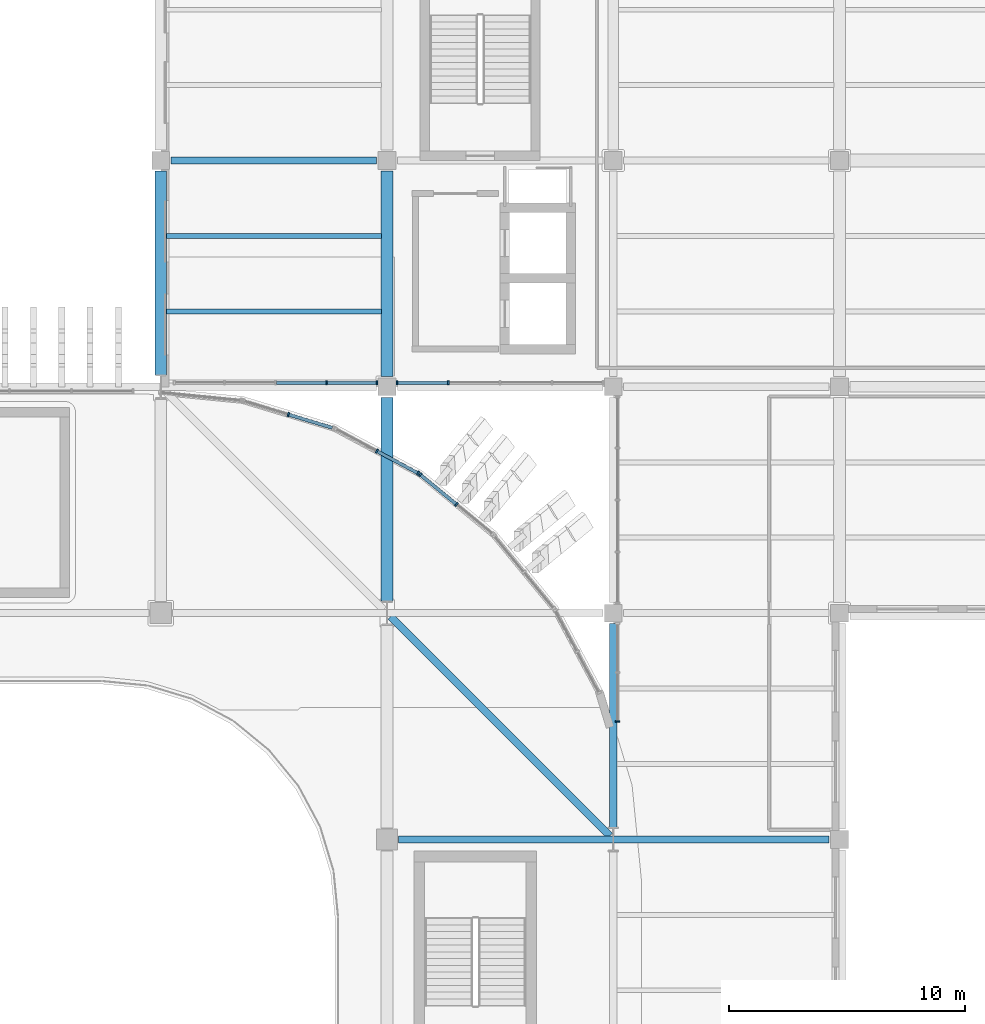
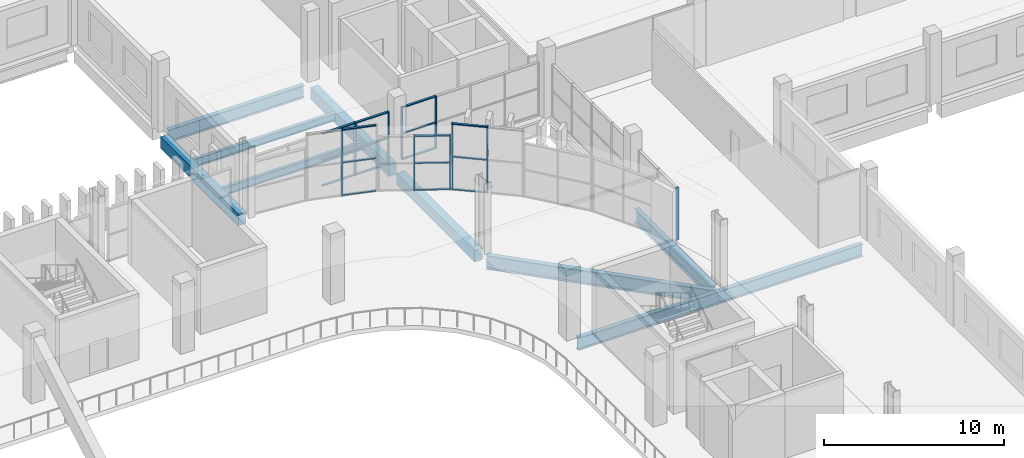
# One storey, part 35 of 100: 28 members, 10 beams, 6 elements without a shape of their own.
"""IFC4 building model written with IfcOpenShell, lengths in metres."""

from ifc_helpers import new_model, si_unit, direction, frame, origin, origin_2d, place, context, subcontext, project, spatial, rectangle, i_section, extrude, material, layer, layer_set, material_profile, profile_set, type_object, element, aggregate, save


model = new_model("IFC4")

# Units and contexts
model_context = context("Model", 3, precision=1e-05, world=origin(), true_north=direction((0.0, 1.0)))
body_context = subcontext(model_context, "Body", "Model", "MODEL_VIEW")
ifc_project = project(units=[si_unit("LENGTHUNIT", "METRE"), si_unit("AREAUNIT", "SQUARE_METRE"), si_unit("VOLUMEUNIT", "CUBIC_METRE"), si_unit("PLANEANGLEUNIT", "RADIAN"), si_unit("MASSUNIT", "GRAM", prefix="KILO")], contexts=[model_context])

# Site, building, storey
site_placement = place(None, origin())
site = spatial("IfcSite", under=ifc_project, at=site_placement, CompositionType="ELEMENT")
building_placement = place(site_placement, origin())
building = spatial("IfcBuilding", under=site, at=building_placement, Name="Caelomonte Colonnade Arena", CompositionType="ELEMENT")
storey_placement = place(building_placement, origin())
storey = spatial("IfcBuildingStorey", under=building, at=storey_placement, Name="L00", CompositionType="ELEMENT", Elevation=0.0)

# Curtain wall, members
ifc_material_1 = material(Name="Bronze anodised aluminium and low-E glazing", Category="aluminium")
ifc_layer_1 = layer(ifc_material_1, 0.179931640625)
ifc_layer_set_1 = layer_set([ifc_layer_1], Name="Bronze anodised aluminium and low-E glazing")
curtain_wall_type_1 = type_object("IfcCurtainWallType", Name="ENV-CW-CW-L00-92-36", PredefinedType="USERDEFINED", material=ifc_layer_set_1)
curtain_wall_1_placement = place(storey_placement, origin())
curtain_wall_1 = element("IfcCurtainWall", 1, at=curtain_wall_1_placement, inside=storey, type_object=curtain_wall_type_1, Name="L00 unitized curtain wall CW-L00-1486-1154", ObjectType="UNITIZED CURTAIN WALL", PredefinedType="USERDEFINED")
ifc_material_2 = material(Name="Bronze anodised aluminium AA6063-T6", Category="aluminium")
ifc_material_profile_1 = material_profile(ifc_material_2, rectangle(XDim=0.070068359375, YDim=0.179931640625, at=origin_2d()), Name="CWM-70X180")
ifc_profile_set_1 = profile_set([ifc_material_profile_1], Name="Bronze anodised aluminium AA6063-T6")
member_type_1 = type_object("IfcMemberType", Name="ENV-CW-MULL1", PredefinedType="MULLION", material=ifc_profile_set_1)
member_1_placement = place(storey_placement, frame((151.038818359375, 115.3798828125, 0.0), z_axis=(0.0, 0.0, 1.0), x_axis=(1.0, 0.0, 0.0)))
member_1 = element("IfcMember", 2, at=member_1_placement, type_object=member_type_1, Name="CW-L00-92-36 mullion 4", PredefinedType="MULLION", context=body_context, shape_type="SweptSolid", body=[
    extrude(rectangle(XDim=0.070068359375, YDim=0.179931640625, at=origin_2d()), origin(), (0.0, 0.0, 1.0), 3.572998046875),
])
member_2_placement = place(storey_placement, frame((153.169921875, 115.3798828125, 0.0), z_axis=(0.0, 0.0, 1.0), x_axis=(1.0, 0.0, 0.0)))
member_2 = element("IfcMember", 3, at=member_2_placement, type_object=member_type_1, Name="CW-L00-92-36 mullion 5", PredefinedType="MULLION", context=body_context, shape_type="SweptSolid", body=[
    extrude(rectangle(XDim=0.070068359375, YDim=0.179931640625, at=origin_2d()), origin(), (0.0, 0.0, 1.0), 3.572998046875),
])

ifc_layer_2 = layer(ifc_material_1, 0.179931640625)
ifc_layer_set_2 = layer_set([ifc_layer_2], Name="Bronze anodised aluminium and low-E glazing")
curtain_wall_type_2 = type_object("IfcCurtainWallType", Name="ENV-CW-CW-L00-89-36", PredefinedType="USERDEFINED", material=ifc_layer_set_2)
curtain_wall_2_placement = place(storey_placement, origin())
curtain_wall_2 = element("IfcCurtainWall", 4, at=curtain_wall_2_placement, inside=storey, type_object=curtain_wall_type_2, Name="L00 unitized curtain wall CW-L00-1584-1154", ObjectType="UNITIZED CURTAIN WALL", PredefinedType="USERDEFINED")
member_3_placement = place(storey_placement, frame((154.030029296875, 115.3798828125, 0.0), z_axis=(0.0, 0.0, 1.0), x_axis=(1.0, 0.0, 0.0)))
member_3 = element("IfcMember", 5, at=member_3_placement, type_object=member_type_1, Name="CW-L00-89-36 mullion 1", PredefinedType="MULLION", context=body_context, shape_type="SweptSolid", body=[
    extrude(rectangle(XDim=0.070068359375, YDim=0.179931640625, at=origin_2d()), origin(), (0.0, 0.0, 1.0), 3.572998046875),
])
member_4_placement = place(storey_placement, frame((156.197509765625, 115.3798828125, 0.0), z_axis=(0.0, 0.0, 1.0), x_axis=(1.0, 0.0, 0.0)))
member_4 = element("IfcMember", 6, at=member_4_placement, type_object=member_type_1, Name="CW-L00-89-36 mullion 2", PredefinedType="MULLION", context=body_context, shape_type="SweptSolid", body=[
    extrude(rectangle(XDim=0.070068359375, YDim=0.179931640625, at=origin_2d()), origin(), (0.0, 0.0, 1.0), 3.572998046875),
])

# Curtain wall, member
ifc_layer_3 = layer(ifc_material_1, 0.179931640625)
ifc_layer_set_3 = layer_set([ifc_layer_3], Name="Bronze anodised aluminium and low-E glazing")
curtain_wall_type_3 = type_object("IfcCurtainWallType", Name="ENV-CW-CW-L00-44-36", PredefinedType="USERDEFINED", material=ifc_layer_set_3)
curtain_wall_3_placement = place(storey_placement, origin())
curtain_wall_3 = element("IfcCurtainWall", 7, at=curtain_wall_3_placement, inside=storey, type_object=curtain_wall_type_3, Name="L00 unitized curtain wall CW-L00-1634-1030", ObjectType="UNITIZED CURTAIN WALL", PredefinedType="USERDEFINED")
member_5_placement = place(storey_placement, frame((163.3798828125, 100.99951171875, 0.0), z_axis=(0.0, 0.0, 1.0), x_axis=(0.0, -1.0, 0.0)))
member_5 = element("IfcMember", 8, at=member_5_placement, type_object=member_type_1, Name="CW-L00-44-36 mullion 3", PredefinedType="MULLION", context=body_context, shape_type="SweptSolid", body=[
    extrude(rectangle(XDim=0.070068359375, YDim=0.179931640625, at=origin_2d()), origin(), (0.0, 0.0, 1.0), 3.572998046875),
])
aggregate(curtain_wall_3, [member_5])

# Curtain wall, members
ifc_layer_4 = layer(ifc_material_1, 0.179931640625)
ifc_layer_set_4 = layer_set([ifc_layer_4], Name="Bronze anodised aluminium and low-E glazing")
curtain_wall_type_4 = type_object("IfcCurtainWallType", Name="ENV-CW-CW-L00-44-45", PredefinedType="USERDEFINED", material=ifc_layer_set_4)
curtain_wall_4_placement = place(storey_placement, origin())
curtain_wall_4 = element("IfcCurtainWall", 9, at=curtain_wall_4_placement, inside=storey, type_object=curtain_wall_type_4, Name="L00 unitized curtain wall CW-L00-1565-1102", ObjectType="UNITIZED CURTAIN WALL", PredefinedType="USERDEFINED")
member_6_placement = place(storey_placement, frame((156.5439453125, 110.2158203125, 0.0), z_axis=(0.0, 0.0, 1.0), x_axis=(-0.772991751994, 0.634416071163, 0.0)))
member_6 = element("IfcMember", 10, at=member_6_placement, type_object=member_type_1, Name="CW-L00-44-45 mullion 2", PredefinedType="MULLION", context=body_context, shape_type="SweptSolid", body=[
    extrude(rectangle(XDim=0.070068359375, YDim=0.179931640625, at=origin_2d()), origin(), (0.0, 0.0, 1.0), 4.5),
])
member_7_placement = place(storey_placement, frame((155.0107421875, 111.47412109375, 0.0), z_axis=(0.0, 0.0, 1.0), x_axis=(-0.772991751994, 0.634416071163, 0.0)))
member_7 = element("IfcMember", 11, at=member_7_placement, type_object=member_type_1, Name="CW-L00-44-45 mullion 3", PredefinedType="MULLION", context=body_context, shape_type="SweptSolid", body=[
    extrude(rectangle(XDim=0.070068359375, YDim=0.179931640625, at=origin_2d()), origin(), (0.0, 0.0, 1.0), 4.5),
])

ifc_layer_5 = layer(ifc_material_1, 0.179931640625)
ifc_layer_set_5 = layer_set([ifc_layer_5], Name="Bronze anodised aluminium and low-E glazing")
curtain_wall_type_5 = type_object("IfcCurtainWallType", Name="ENV-CW-CW-L00-44-37", PredefinedType="USERDEFINED", material=ifc_layer_set_5)
curtain_wall_5_placement = place(storey_placement, origin())
curtain_wall_5 = element("IfcCurtainWall", 12, at=curtain_wall_5_placement, inside=storey, type_object=curtain_wall_type_5, Name="L00 unitized curtain wall CW-L00-1532-1125", ObjectType="UNITIZED CURTAIN WALL", PredefinedType="USERDEFINED")
member_8_placement = place(storey_placement, frame((154.916015625, 111.53759765625, 0.0), z_axis=(0.0, 0.0, 1.0), x_axis=(-0.881922613642, 0.471394212466, 0.0)))
member_8 = element("IfcMember", 13, at=member_8_placement, type_object=member_type_1, Name="CW-L00-44-37 mullion 1", PredefinedType="MULLION", context=body_context, shape_type="SweptSolid", body=[
    extrude(rectangle(XDim=0.070068359375, YDim=0.179931640625, at=origin_2d()), origin(), (0.0, 0.0, 1.0), 3.699951171875),
])
member_9_placement = place(storey_placement, frame((153.166748046875, 112.472412109375, 0.0), z_axis=(0.0, 0.0, 1.0), x_axis=(-0.881922613642, 0.471394212466, 0.0)))
member_9 = element("IfcMember", 14, at=member_9_placement, type_object=member_type_1, Name="CW-L00-44-37 mullion 2", PredefinedType="MULLION", context=body_context, shape_type="SweptSolid", body=[
    extrude(rectangle(XDim=0.070068359375, YDim=0.179931640625, at=origin_2d()), origin(), (0.0, 0.0, 1.0), 3.699951171875),
])

# Curtain wall, member
curtain_wall_6_placement = place(storey_placement, origin())
curtain_wall_6 = element("IfcCurtainWall", 15, at=curtain_wall_6_placement, inside=storey, type_object=curtain_wall_type_4, Name="L00 unitized curtain wall CW-L00-1494-1140", ObjectType="UNITIZED CURTAIN WALL", PredefinedType="USERDEFINED")
member_10_placement = place(storey_placement, frame((149.414306640625, 114.02685546875, 0.0), z_axis=(0.0, 0.0, 1.0), x_axis=(-0.956949160999, 0.290255582655, 0.0)))
member_10 = element("IfcMember", 16, at=member_10_placement, type_object=member_type_1, Name="CW-L00-44-45 mullion 2", PredefinedType="MULLION", context=body_context, shape_type="SweptSolid", body=[
    extrude(rectangle(XDim=0.070068359375, YDim=0.179931640625, at=origin_2d()), origin(), (0.0, 0.0, 1.0), 4.5),
])

# Member
ifc_material_profile_2 = material_profile(ifc_material_2, rectangle(XDim=0.070068359375, YDim=0.139892578125, at=origin_2d()), Name="CWT-70X140")
ifc_profile_set_2 = profile_set([ifc_material_profile_2], Name="Bronze anodised aluminium AA6063-T6")
member_type_2 = type_object("IfcMemberType", Name="ENV-CW-TRAN1", PredefinedType="USERDEFINED", material=ifc_profile_set_2)
member_11_placement = place(storey_placement, frame((148.907958984375, 115.3798828125, 0.034912109375), z_axis=(1.0, 0.0, 0.0), x_axis=(0.0, 0.0, 1.0)))
member_11 = element("IfcMember", 17, at=member_11_placement, type_object=member_type_2, Name="CW-L00-92-36 transom 3.1", ObjectType="TRANSOM", PredefinedType="USERDEFINED", context=body_context, shape_type="SweptSolid", body=[
    extrude(rectangle(XDim=0.070068359375, YDim=0.139892578125, at=origin_2d()), origin(), (0.0, 0.0, 1.0), 2.095947265625),
])

member_12_placement = place(storey_placement, frame((148.907958984375, 115.3798828125, 1.78662109375), z_axis=(1.0, 0.0, 0.0), x_axis=(0.0, 0.0, 1.0)))
member_12 = element("IfcMember", 18, at=member_12_placement, type_object=member_type_2, Name="CW-L00-92-36 transom 3.2", ObjectType="TRANSOM", PredefinedType="USERDEFINED", context=body_context, shape_type="SweptSolid", body=[
    extrude(rectangle(XDim=0.070068359375, YDim=0.139892578125, at=origin_2d()), origin(), (0.0, 0.0, 1.0), 2.095947265625),
])

member_13_placement = place(storey_placement, frame((148.907958984375, 115.3798828125, 3.5380859375), z_axis=(1.0, 0.0, 0.0), x_axis=(0.0, 0.0, 1.0)))
member_13 = element("IfcMember", 19, at=member_13_placement, type_object=member_type_2, Name="CW-L00-92-36 transom 3.3", ObjectType="TRANSOM", PredefinedType="USERDEFINED", context=body_context, shape_type="SweptSolid", body=[
    extrude(rectangle(XDim=0.070068359375, YDim=0.139892578125, at=origin_2d()), origin(), (0.0, 0.0, 1.0), 2.095947265625),
])

member_14_placement = place(storey_placement, frame((151.073974609375, 115.3798828125, 0.034912109375), z_axis=(1.0, 0.0, 0.0), x_axis=(0.0, 0.0, 1.0)))
member_14 = element("IfcMember", 20, at=member_14_placement, type_object=member_type_2, Name="CW-L00-92-36 transom 4.1", ObjectType="TRANSOM", PredefinedType="USERDEFINED", context=body_context, shape_type="SweptSolid", body=[
    extrude(rectangle(XDim=0.070068359375, YDim=0.139892578125, at=origin_2d()), origin(), (0.0, 0.0, 1.0), 2.06103515625),
])

member_15_placement = place(storey_placement, frame((151.073974609375, 115.3798828125, 1.78662109375), z_axis=(1.0, 0.0, 0.0), x_axis=(0.0, 0.0, 1.0)))
member_15 = element("IfcMember", 21, at=member_15_placement, type_object=member_type_2, Name="CW-L00-92-36 transom 4.2", ObjectType="TRANSOM", PredefinedType="USERDEFINED", context=body_context, shape_type="SweptSolid", body=[
    extrude(rectangle(XDim=0.070068359375, YDim=0.139892578125, at=origin_2d()), origin(), (0.0, 0.0, 1.0), 2.06103515625),
])

member_16_placement = place(storey_placement, frame((151.073974609375, 115.3798828125, 3.5380859375), z_axis=(1.0, 0.0, 0.0), x_axis=(0.0, 0.0, 1.0)))
member_16 = element("IfcMember", 22, at=member_16_placement, type_object=member_type_2, Name="CW-L00-92-36 transom 4.3", ObjectType="TRANSOM", PredefinedType="USERDEFINED", context=body_context, shape_type="SweptSolid", body=[
    extrude(rectangle(XDim=0.070068359375, YDim=0.139892578125, at=origin_2d()), origin(), (0.0, 0.0, 1.0), 2.06103515625),
])

aggregate(curtain_wall_1, [member_1, member_2, member_11, member_12, member_13, member_14, member_15, member_16])

member_17_placement = place(storey_placement, frame((154.06494140625, 115.3798828125, 0.034912109375), z_axis=(1.0, 0.0, 0.0), x_axis=(0.0, 0.0, 1.0)))
member_17 = element("IfcMember", 23, at=member_17_placement, type_object=member_type_2, Name="CW-L00-89-36 transom 1.1", ObjectType="TRANSOM", PredefinedType="USERDEFINED", context=body_context, shape_type="SweptSolid", body=[
    extrude(rectangle(XDim=0.070068359375, YDim=0.139892578125, at=origin_2d()), origin(), (0.0, 0.0, 1.0), 2.09765625),
])

member_18_placement = place(storey_placement, frame((154.06494140625, 115.3798828125, 1.78662109375), z_axis=(1.0, 0.0, 0.0), x_axis=(0.0, 0.0, 1.0)))
member_18 = element("IfcMember", 24, at=member_18_placement, type_object=member_type_2, Name="CW-L00-89-36 transom 1.2", ObjectType="TRANSOM", PredefinedType="USERDEFINED", context=body_context, shape_type="SweptSolid", body=[
    extrude(rectangle(XDim=0.070068359375, YDim=0.139892578125, at=origin_2d()), origin(), (0.0, 0.0, 1.0), 2.09765625),
])

member_19_placement = place(storey_placement, frame((154.06494140625, 115.3798828125, 3.5380859375), z_axis=(1.0, 0.0, 0.0), x_axis=(0.0, 0.0, 1.0)))
member_19 = element("IfcMember", 25, at=member_19_placement, type_object=member_type_2, Name="CW-L00-89-36 transom 1.3", ObjectType="TRANSOM", PredefinedType="USERDEFINED", context=body_context, shape_type="SweptSolid", body=[
    extrude(rectangle(XDim=0.070068359375, YDim=0.139892578125, at=origin_2d()), origin(), (0.0, 0.0, 1.0), 2.09765625),
])

aggregate(curtain_wall_2, [member_3, member_4, member_17, member_18, member_19])

member_20_placement = place(storey_placement, frame((156.516845703125, 110.238037109375, 0.034912109375), z_axis=(-0.772989936128, 0.634418283662, 0.0), x_axis=(0.0, 0.0, 1.0)))
member_20 = element("IfcMember", 26, at=member_20_placement, type_object=member_type_2, Name="CW-L00-44-45 transom 2.1", ObjectType="TRANSOM", PredefinedType="USERDEFINED", context=body_context, shape_type="SweptSolid", body=[
    extrude(rectangle(XDim=0.070068359375, YDim=0.139892578125, at=origin_2d()), origin(), (0.0, 0.0, 1.0), 1.913330078125),
])

member_21_placement = place(storey_placement, frame((156.516845703125, 110.238037109375, 2.25), z_axis=(-0.772989936128, 0.634418283662, 0.0), x_axis=(0.0, 0.0, 1.0)))
member_21 = element("IfcMember", 27, at=member_21_placement, type_object=member_type_2, Name="CW-L00-44-45 transom 2.2", ObjectType="TRANSOM", PredefinedType="USERDEFINED", context=body_context, shape_type="SweptSolid", body=[
    extrude(rectangle(XDim=0.070068359375, YDim=0.139892578125, at=origin_2d()), origin(), (0.0, 0.0, 1.0), 1.913330078125),
])

member_22_placement = place(storey_placement, frame((156.516845703125, 110.238037109375, 4.465087890625), z_axis=(-0.772989936128, 0.634418283662, 0.0), x_axis=(0.0, 0.0, 1.0)))
member_22 = element("IfcMember", 28, at=member_22_placement, type_object=member_type_2, Name="CW-L00-44-45 transom 2.3", ObjectType="TRANSOM", PredefinedType="USERDEFINED", context=body_context, shape_type="SweptSolid", body=[
    extrude(rectangle(XDim=0.070068359375, YDim=0.139892578125, at=origin_2d()), origin(), (0.0, 0.0, 1.0), 1.913330078125),
])

aggregate(curtain_wall_4, [member_6, member_7, member_20, member_21, member_22])

member_23_placement = place(storey_placement, frame((154.88525390625, 111.553955078125, 0.034912109375), z_axis=(-0.881896914799, 0.471442288799, 0.0), x_axis=(0.0, 0.0, 1.0)))
member_23 = element("IfcMember", 29, at=member_23_placement, type_object=member_type_2, Name="CW-L00-44-37 transom 1.1", ObjectType="TRANSOM", PredefinedType="USERDEFINED", context=body_context, shape_type="SweptSolid", body=[
    extrude(rectangle(XDim=0.070068359375, YDim=0.139892578125, at=origin_2d()), origin(), (0.0, 0.0, 1.0), 1.91357421875),
])

member_24_placement = place(storey_placement, frame((154.88525390625, 111.553955078125, 1.85009765625), z_axis=(-0.881896914799, 0.471442288799, 0.0), x_axis=(0.0, 0.0, 1.0)))
member_24 = element("IfcMember", 30, at=member_24_placement, type_object=member_type_2, Name="CW-L00-44-37 transom 1.2", ObjectType="TRANSOM", PredefinedType="USERDEFINED", context=body_context, shape_type="SweptSolid", body=[
    extrude(rectangle(XDim=0.070068359375, YDim=0.139892578125, at=origin_2d()), origin(), (0.0, 0.0, 1.0), 1.91357421875),
])

member_25_placement = place(storey_placement, frame((154.88525390625, 111.553955078125, 3.6650390625), z_axis=(-0.881896914799, 0.471442288799, 0.0), x_axis=(0.0, 0.0, 1.0)))
member_25 = element("IfcMember", 31, at=member_25_placement, type_object=member_type_2, Name="CW-L00-44-37 transom 1.3", ObjectType="TRANSOM", PredefinedType="USERDEFINED", context=body_context, shape_type="SweptSolid", body=[
    extrude(rectangle(XDim=0.070068359375, YDim=0.139892578125, at=origin_2d()), origin(), (0.0, 0.0, 1.0), 1.91357421875),
])

aggregate(curtain_wall_5, [member_8, member_9, member_23, member_24, member_25])

member_26_placement = place(storey_placement, frame((151.27880859375, 113.461181640625, 0.034912109375), z_axis=(-0.956933131783, 0.290308424431, 0.0), x_axis=(0.0, 0.0, 1.0)))
member_26 = element("IfcMember", 32, at=member_26_placement, type_object=member_type_2, Name="CW-L00-44-45 transom 1.1", ObjectType="TRANSOM", PredefinedType="USERDEFINED", context=body_context, shape_type="SweptSolid", body=[
    extrude(rectangle(XDim=0.070068359375, YDim=0.139892578125, at=origin_2d()), origin(), (0.0, 0.0, 1.0), 1.9130859375),
])

member_27_placement = place(storey_placement, frame((151.27880859375, 113.461181640625, 2.25), z_axis=(-0.956933131783, 0.290308424431, 0.0), x_axis=(0.0, 0.0, 1.0)))
member_27 = element("IfcMember", 33, at=member_27_placement, type_object=member_type_2, Name="CW-L00-44-45 transom 1.2", ObjectType="TRANSOM", PredefinedType="USERDEFINED", context=body_context, shape_type="SweptSolid", body=[
    extrude(rectangle(XDim=0.070068359375, YDim=0.139892578125, at=origin_2d()), origin(), (0.0, 0.0, 1.0), 1.9130859375),
])

member_28_placement = place(storey_placement, frame((151.27880859375, 113.461181640625, 4.465087890625), z_axis=(-0.956933131783, 0.290308424431, 0.0), x_axis=(0.0, 0.0, 1.0)))
member_28 = element("IfcMember", 34, at=member_28_placement, type_object=member_type_2, Name="CW-L00-44-45 transom 1.3", ObjectType="TRANSOM", PredefinedType="USERDEFINED", context=body_context, shape_type="SweptSolid", body=[
    extrude(rectangle(XDim=0.070068359375, YDim=0.139892578125, at=origin_2d()), origin(), (0.0, 0.0, 1.0), 1.9130859375),
])

aggregate(curtain_wall_6, [member_10, member_26, member_27, member_28])

# Beams
ifc_material_3 = material(Name="Wide-flange steel ASTM A992 Grade 50", Category="steel")
ifc_material_profile_3 = material_profile(ifc_material_3, i_section(OverallWidth=0.307861328125, OverallDepth=0.927001953125, WebThickness=0.019287109375, FlangeThickness=0.031982421875, FilletRadius=0.020263671875, at=origin_2d()), Name="W36X194")
ifc_profile_set_3 = profile_set([ifc_material_profile_3], Name="Wide-flange steel ASTM A992 Grade 50")
beam_type_1 = type_object("IfcBeamType", Name="STR-BM-EAVES2", PredefinedType="SPANDREL", material=ifc_profile_set_3)
beam_1_placement = place(storey_placement, frame((163.199951171875, 96.5126953125, -0.763427734375), z_axis=(0.0, 1.0, 0.0), x_axis=(-1.0, 0.0, 0.0)))
element("IfcBeam", 35, at=beam_1_placement, inside=storey, type_object=beam_type_1, Name="L00 girder BMY-L00-1632-0960", PredefinedType="SPANDREL", context=body_context, shape_type="SweptSolid", body=[
    extrude(i_section(OverallWidth=0.307861328125, OverallDepth=0.927001953125, WebThickness=0.019287109375, FlangeThickness=0.031982421875, FilletRadius=0.020263671875, at=origin_2d()), origin(), (0.0, 0.0, 1.0), 8.645263671875),
])
beam_2_placement = place(storey_placement, frame((163.0546875, 96.145263671875, -0.763427734375), z_axis=(-0.707106781187, 0.707106781187, 0.0), x_axis=(-0.707106781187, -0.707106781187, 0.0)))
element("IfcBeam", 36, at=beam_2_placement, inside=storey, type_object=beam_type_1, Name="L00 drum corner ring girder 5", PredefinedType="SPANDREL", context=body_context, shape_type="SweptSolid", body=[
    extrude(i_section(OverallWidth=0.307861328125, OverallDepth=0.927001953125, WebThickness=0.019287109375, FlangeThickness=0.031982421875, FilletRadius=0.020263671875, at=origin_2d()), origin(), (0.0, 0.0, 1.0), 13.165283203125),
])
ifc_material_profile_4 = material_profile(ifc_material_3, i_section(OverallWidth=0.2919921875, OverallDepth=0.845703125, WebThickness=0.015380859375, FlangeThickness=0.0244140625, FilletRadius=0.017822265625, at=origin_2d()), Name="W33X141")
ifc_profile_set_4 = profile_set([ifc_material_profile_4], Name="Wide-flange steel ASTM A992 Grade 50")
beam_type_2 = type_object("IfcBeamType", Name="STR-BM-GIRD33", PredefinedType="BEAM", material=ifc_profile_set_4)
beam_3_placement = place(storey_placement, frame((154.092041015625, 96.0, -0.722900390625), z_axis=(1.0, 0.0, 0.0), x_axis=(0.0, 1.0, 0.0)))
element("IfcBeam", 37, at=beam_3_placement, inside=storey, type_object=beam_type_2, Name="L00 girder BMX-L00-1536-0960", PredefinedType="BEAM", context=body_context, shape_type="SweptSolid", body=[
    extrude(i_section(OverallWidth=0.2919921875, OverallDepth=0.845703125, WebThickness=0.015380859375, FlangeThickness=0.0244140625, FilletRadius=0.017822265625, at=origin_2d()), origin(), (0.0, 0.0, 1.0), 9.092529296875),
])
beam_4_placement = place(storey_placement, frame((163.215576171875, 96.0, -0.722900390625), z_axis=(1.0, 0.0, 0.0), x_axis=(0.0, 1.0, 0.0)))
element("IfcBeam", 38, at=beam_4_placement, inside=storey, type_object=beam_type_2, Name="L00 girder BMX-L00-1632-0960", PredefinedType="BEAM", context=body_context, shape_type="SweptSolid", body=[
    extrude(i_section(OverallWidth=0.2919921875, OverallDepth=0.845703125, WebThickness=0.015380859375, FlangeThickness=0.0244140625, FilletRadius=0.017822265625, at=origin_2d()), origin(), (0.0, 0.0, 1.0), 9.142333984375),
])
beam_5_placement = place(storey_placement, frame((144.44189453125, 124.800048828125, -0.722900390625), z_axis=(1.0, 0.0, 0.0), x_axis=(0.0, 1.0, 0.0)))
element("IfcBeam", 39, at=beam_5_placement, inside=storey, type_object=beam_type_2, Name="L00 girder BMX-L00-1440-1248", PredefinedType="BEAM", context=body_context, shape_type="SweptSolid", body=[
    extrude(i_section(OverallWidth=0.2919921875, OverallDepth=0.845703125, WebThickness=0.015380859375, FlangeThickness=0.0244140625, FilletRadius=0.017822265625, at=origin_2d()), origin(), (0.0, 0.0, 1.0), 8.716064453125),
])
ifc_material_profile_5 = material_profile(ifc_material_3, i_section(OverallWidth=0.209228515625, OverallDepth=0.533447265625, WebThickness=0.01025390625, FlangeThickness=0.015625, FilletRadius=0.0126953125, at=origin_2d()), Name="W21X62")
ifc_profile_set_5 = profile_set([ifc_material_profile_5], Name="Wide-flange steel ASTM A992 Grade 50")
beam_type_3 = type_object("IfcBeamType", Name="STR-BM-JOIST21", PredefinedType="JOIST", material=ifc_profile_set_5)
for number, where, z_axis, x_axis, name in (
    (40, (144.2451171875, 118.39990234375, -0.566650390625), (1.0, 0.0, 0.0), (0.0, 1.0, 0.0), "L00 secondary joist 1"),
    (41, (144.2451171875, 121.60009765625, -0.566650390625), (1.0, 0.0, 0.0), (0.0, 1.0, 0.0), "L00 secondary joist 2"),
):
    element("IfcBeam", number, at=place(storey_placement, frame(where, z_axis=z_axis, x_axis=x_axis)), inside=storey, type_object=beam_type_3, Name=name, PredefinedType="JOIST", context=body_context, shape_type="SweptSolid", body=[
        extrude(i_section(OverallWidth=0.209228515625, OverallDepth=0.533447265625, WebThickness=0.01025390625, FlangeThickness=0.015625, FilletRadius=0.0126953125, at=origin_2d()), origin(), (0.0, 0.0, 1.0), 9.10986328125),
    ])
ifc_material_4 = material(Name="Concrete C40/50", Category="concrete")
ifc_material_profile_6 = material_profile(ifc_material_4, rectangle(XDim=0.5, YDim=0.800048828125, at=origin_2d()), Name="RC500X800")
ifc_profile_set_6 = profile_set([ifc_material_profile_6], Name="Concrete C40/50")
beam_type_4 = type_object("IfcBeamType", Name="STR-BM-RC50", PredefinedType="BEAM", material=ifc_profile_set_6)
for number, where, z_axis, x_axis, name in (
    (42, (144.0, 115.712646484375, -0.699951171875), (0.0, 1.0, 0.0), (-1.0, 0.0, 0.0), "L00 girder BMY-L00-1440-1152"),
    (43, (153.60009765625, 106.11279296875, -0.699951171875), (0.0, 1.0, 0.0), (-1.0, 0.0, 0.0), "L00 girder BMY-L00-1536-1056"),
):
    element("IfcBeam", number, at=place(storey_placement, frame(where, z_axis=z_axis, x_axis=x_axis)), inside=storey, type_object=beam_type_4, Name=name, PredefinedType="BEAM", context=body_context, shape_type="SweptSolid", body=[
        extrude(rectangle(XDim=0.5, YDim=0.800048828125, at=origin_2d()), origin(), (0.0, 0.0, 1.0), 8.645263671875),
    ])
beam_6_placement = place(storey_placement, frame((153.60009765625, 115.64208984375, -0.699951171875), z_axis=(0.0, 1.0, 0.0), x_axis=(-1.0, 0.0, 0.0)))
element("IfcBeam", 44, at=beam_6_placement, inside=storey, type_object=beam_type_4, Name="L00 girder BMY-L00-1536-1152", PredefinedType="BEAM", context=body_context, shape_type="SweptSolid", body=[
    extrude(rectangle(XDim=0.5, YDim=0.800048828125, at=origin_2d()), origin(), (0.0, 0.0, 1.0), 8.7158203125),
])

save(model, "model.ifc")
